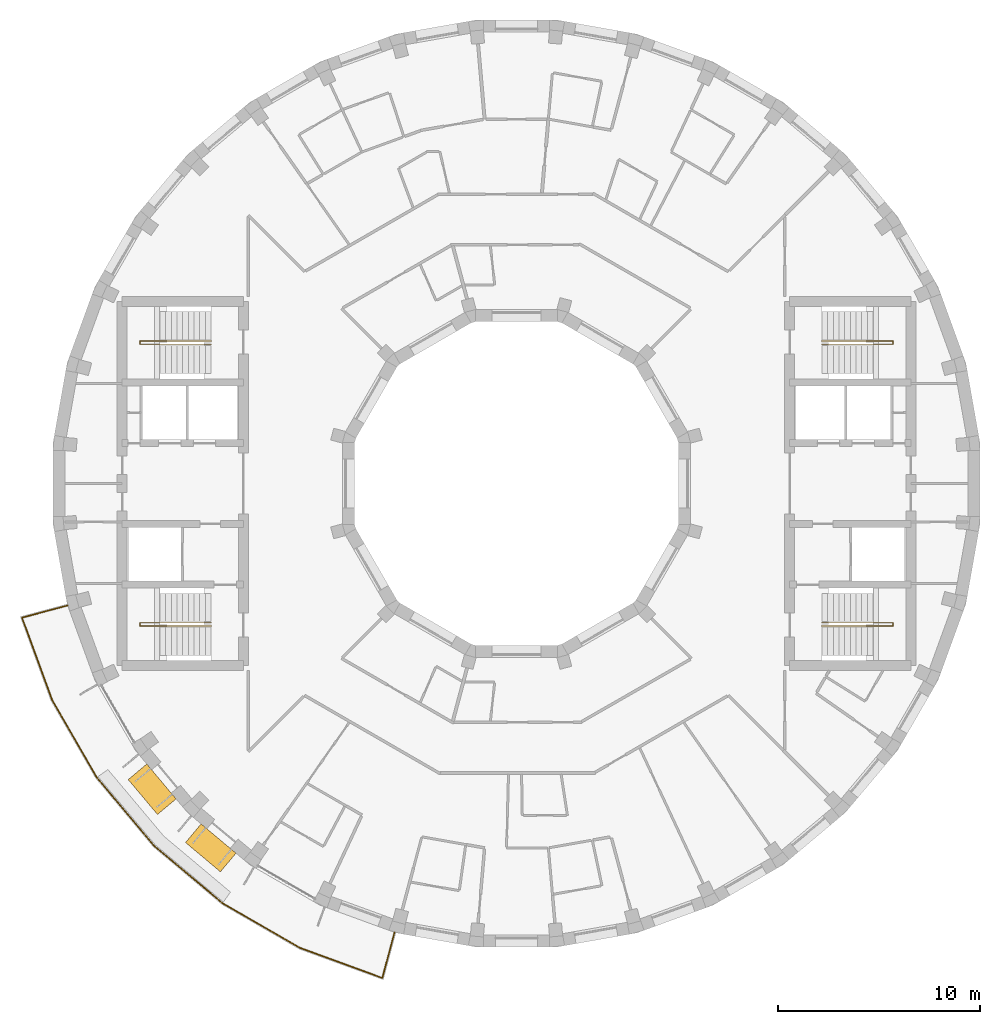
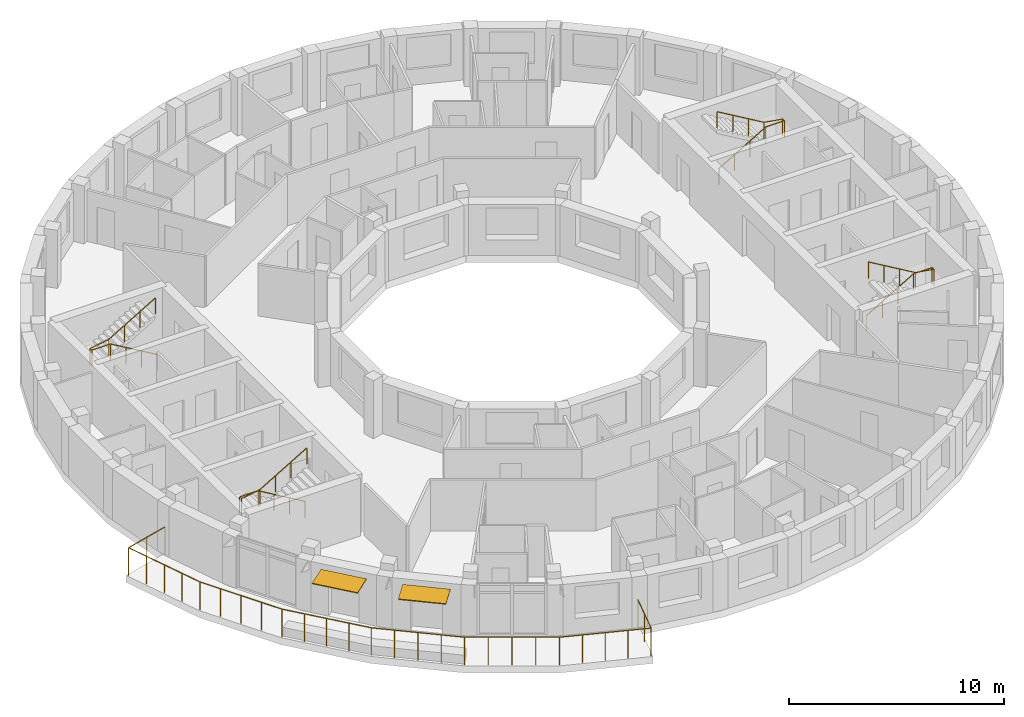
# One storey, part 12 of 12: 5 railings, 2 shading devices.
"""IFC4 building model written with IfcOpenShell, lengths in metres."""

import ifcopenshell
import ifcopenshell.guid

model = None  # the IFC model being written
_history = None  # IfcOwnerHistory: only IFC2X3 demands one
_inside = {}  # id of a spatial element -> (the spatial element, [elements in it])
_under = {}  # id of a project, library or spatial element -> (it, [spatial elements below it])
_declared = {}  # id of a project -> (the project, [libraries it declares])
_typed = {}  # id of a type object -> (the type object, [elements of that type])
_made_of = {}  # id of a material, layer set ... -> (it, [elements and type objects made of it])


def new_model(schema):
    """Start an empty IFC model of exactly this schema.

    Asked for "IFC4X3", IfcOpenShell would pick the latest addendum, in which some entities
    have other attributes; the version numbers below select the first issue.
    IFC2X3 requires an IfcOwnerHistory on every rooted entity: one is made here for all.
    """
    global model, _history
    if schema == "IFC4X3":
        model = ifcopenshell.file(schema_version=(4, 3, 0, 0))
    else:
        model = ifcopenshell.file(schema=schema)
    _inside.clear()
    _under.clear()
    _declared.clear()
    _typed.clear()
    _made_of.clear()
    _history = None
    if model.schema == "IFC2X3":
        org = make("IfcOrganization", Name="unknown")
        user = make(
            "IfcPersonAndOrganization",
            ThePerson=make("IfcPerson", FamilyName="unknown"),
            TheOrganization=org,
        )
        app = make(
            "IfcApplication",
            ApplicationDeveloper=org,
            Version="unknown",
            ApplicationFullName="unknown",
            ApplicationIdentifier="unknown",
        )
        _history = make(
            "IfcOwnerHistory",
            OwningUser=user,
            OwningApplication=app,
            ChangeAction="ADDED",
            CreationDate=0,
        )
    return model


def make(cls, **values):
    """One entity of the class cls with the attributes given. An attribute that is None is left unset."""
    return model.create_entity(
        cls, **{name: value for name, value in values.items() if value is not None}
    )


def rooted(cls, **values):
    """An entity with a GlobalId (a new one), such as an element, a storey or a relation."""
    return make(cls, GlobalId=ifcopenshell.guid.new(), OwnerHistory=_history, **values)


def si_unit(unit_type, name, prefix=None):
    """IfcSIUnit, for example si_unit("LENGTHUNIT", "METRE", prefix="MILLI")."""
    return make("IfcSIUnit", UnitType=unit_type, Prefix=prefix, Name=name)


def assignment(units):
    """IfcUnitAssignment: the units of a project."""
    return None if units is None else make("IfcUnitAssignment", Units=units)


def point(xyz):
    """IfcCartesianPoint."""
    return None if xyz is None else make("IfcCartesianPoint", Coordinates=xyz)


def direction(xyz):
    """IfcDirection."""
    return None if xyz is None else make("IfcDirection", DirectionRatios=xyz)


def frame(location, z_axis=None, x_axis=None):
    """IfcAxis2Placement3D, a coordinate frame: its origin and axes. An axis left out is left unset."""
    return make(
        "IfcAxis2Placement3D",
        Location=point(location),
        Axis=direction(z_axis),
        RefDirection=direction(x_axis),
    )


def frame_2d(location, x_axis=None):
    """IfcAxis2Placement2D, a coordinate frame in the plane: its origin and x axis."""
    return make(
        "IfcAxis2Placement2D", Location=point(location), RefDirection=direction(x_axis)
    )


def origin():
    """The frame at (0, 0, 0) with its axes left unset."""
    return frame((0.0, 0.0, 0.0))


def origin_2d():
    """The frame at (0, 0) in the plane with its x axis left unset."""
    return frame_2d((0.0, 0.0))


def place(relative_to, where):
    """IfcLocalPlacement: puts the frame where relative to a parent placement (None: the world)."""
    return make(
        "IfcLocalPlacement", PlacementRelTo=relative_to, RelativePlacement=where
    )


def context(
    kind, dimensions, precision=None, world=None, true_north=None, identifier=None
):
    """IfcGeometricRepresentationContext, for example the 3D "Model" context."""
    return make(
        "IfcGeometricRepresentationContext",
        ContextIdentifier=identifier,
        ContextType=kind,
        CoordinateSpaceDimension=dimensions,
        Precision=precision,
        WorldCoordinateSystem=world,
        TrueNorth=true_north,
    )


def subcontext(parent, identifier, kind, view, scale=None):
    """IfcGeometricRepresentationSubContext, for example "Body" below "Model"."""
    return make(
        "IfcGeometricRepresentationSubContext",
        ContextIdentifier=identifier,
        ContextType=kind,
        ParentContext=parent,
        TargetScale=scale,
        TargetView=view,
    )


def project(units=None, contexts=None):
    """IfcProject with its units and contexts."""
    return rooted(
        "IfcProject",
        Name="project",
        RepresentationContexts=contexts,
        UnitsInContext=assignment(units),
    )


def spatial(cls, under=None, at=None, **own):
    """A site, building, storey or space (cls), placed at a placement, below another one or the project."""
    s = rooted(cls, ObjectPlacement=at, **own)
    if under is not None:
        _under.setdefault(under.id(), (under, []))[1].append(s)
    return s


def profile(cls, at=None, kind="AREA", **sizes):
    """A parametric profile (cls). Its sizes go by their IFC names, for example OverallWidth=200.0."""
    return make(cls, ProfileType=kind, Position=at, **sizes)


def rectangle(**sizes):
    """IfcRectangleProfileDef."""
    return profile("IfcRectangleProfileDef", **sizes)


def circle(**sizes):
    """IfcCircleProfileDef."""
    return profile("IfcCircleProfileDef", **sizes)


def extrude(swept, where, along, depth):
    """IfcExtrudedAreaSolid: the profile swept, set in the frame where, extruded along a direction by depth."""
    return make(
        "IfcExtrudedAreaSolid",
        SweptArea=swept,
        Position=where,
        ExtrudedDirection=direction(along),
        Depth=depth,
    )


def shape(context_of_items, identifier, shape_type, items):
    """IfcShapeRepresentation: the items that make up one representation, for example the "Body"."""
    return make(
        "IfcShapeRepresentation",
        ContextOfItems=context_of_items,
        RepresentationIdentifier=identifier,
        RepresentationType=shape_type,
        Items=items,
    )


def material(Name=None, Category=None):
    """IfcMaterial."""
    return make("IfcMaterial", Name=Name, Category=Category)


def layer(
    of_material, thickness, ventilated=None, Name=None, Category=None, Priority=None
):
    """IfcMaterialLayer: one layer of a wall or slab, of a material (None: an air gap)."""
    return make(
        "IfcMaterialLayer",
        Material=of_material,
        LayerThickness=thickness,
        IsVentilated=ventilated,
        Name=Name,
        Category=Category,
        Priority=Priority,
    )


def layer_set(layers, Name=None):
    """IfcMaterialLayerSet."""
    return make("IfcMaterialLayerSet", MaterialLayers=layers, LayerSetName=Name)


def made_of(thing, what):
    """Note that an element or type object is made of a material, layer set ...; save() writes the relation."""
    if what is not None:
        _made_of.setdefault(what.id(), (what, []))[1].append(thing)
    return thing


def type_object(cls, material=None, **own):
    """A type object (cls), such as IfcWallType, which elements share."""
    return made_of(rooted(cls, **own), material)


def element(
    cls,
    number,
    at=None,
    inside=None,
    cuts=None,
    type_object=None,
    material=None,
    context=None,
    identifier="Body",
    shape_type=None,
    held_by="IfcProductDefinitionShape",
    body=None,
    shapes=None,
    **own,
):
    """One element of the class cls, such as IfcWall. Its Tag is "e" and its number.

    at: its placement. inside: the storey or other place that contains it. cuts: it is an
    opening in that element (IfcRelVoidsElement). A single representation is given by context,
    identifier, shape_type and body (its items); several are given by shapes. held_by: the class
    of the entity that holds the representations. save() writes the other relations.
    """
    e = rooted(cls, Tag="e%d" % number, ObjectPlacement=at, **own)
    if body is not None:
        shapes = [shape(context, identifier, shape_type, body)]
    if shapes is not None:
        e.Representation = make(held_by, Representations=shapes)
    if inside is not None:
        _inside.setdefault(inside.id(), (inside, []))[1].append(e)
    if cuts is not None:
        rooted(
            "IfcRelVoidsElement", RelatingBuildingElement=cuts, RelatedOpeningElement=e
        )
    if type_object is not None:
        _typed.setdefault(type_object.id(), (type_object, []))[1].append(e)
    return made_of(e, material)


def aggregate(whole, parts):
    """IfcRelAggregates: a whole, such as a stair, and the parts it consists of."""
    return rooted("IfcRelAggregates", RelatingObject=whole, RelatedObjects=parts)


def save(model, path):
    """Write the relations noted so far, then the file.

    IfcRelAggregates (storeys below a building ...), IfcRelContainedInSpatialStructure (elements
    in a storey), IfcRelDefinesByType, IfcRelAssociatesMaterial and IfcRelDeclares: one each for
    every whole, place, type object, material and project.
    """
    for whole, parts in _under.values():
        aggregate(whole, parts)
    for where, things in _inside.values():
        rooted(
            "IfcRelContainedInSpatialStructure",
            RelatedElements=things,
            RelatingStructure=where,
        )
    for kind, things in _typed.values():
        rooted("IfcRelDefinesByType", RelatedObjects=things, RelatingType=kind)
    for what, things in _made_of.values():
        rooted("IfcRelAssociatesMaterial", RelatedObjects=things, RelatingMaterial=what)
    for by, libraries in _declared.values():
        rooted("IfcRelDeclares", RelatingContext=by, RelatedDefinitions=libraries)
    model.write(path)


model = new_model("IFC4")

# Units and contexts
model_context = context("Model", 3, precision=1e-05, world=origin(), true_north=direction((0.0, 1.0)))
body_context = subcontext(model_context, "Body", "Model", "MODEL_VIEW")
ifc_project = project(units=[si_unit("LENGTHUNIT", "METRE"), si_unit("AREAUNIT", "SQUARE_METRE"), si_unit("VOLUMEUNIT", "CUBIC_METRE"), si_unit("PLANEANGLEUNIT", "RADIAN"), si_unit("MASSUNIT", "GRAM", prefix="KILO")], contexts=[model_context])

# Site, building, storey
site_placement = place(None, origin())
site = spatial("IfcSite", under=ifc_project, at=site_placement, CompositionType="ELEMENT")
building_placement = place(site_placement, origin())
building = spatial("IfcBuilding", under=site, at=building_placement, Name="Saqina Gate Tower", CompositionType="ELEMENT")
storey_placement = place(building_placement, frame((0.0, 0.0, 262.699951171875)))
storey = spatial("IfcBuildingStorey", under=building, at=storey_placement, Name="L75", CompositionType="ELEMENT", Elevation=262.699951171875)

# Shading devices
ifc_material_1 = material(Name="Aluminium and fabric awning", Category="aluminium")
ifc_layer = layer(ifc_material_1, 0.050048828125)
ifc_layer_set = layer_set([ifc_layer], Name="AW-TERRACE")
shading_device_type = type_object("IfcShadingDeviceType", Name="AW-TERRACE", PredefinedType="AWNING", material=ifc_layer_set)
for number, where, z_axis, x_axis, name in (
    (1, (-18.01171875, -15.113525390625, 2.52490234375), (0.0, 0.0, 1.0), (0.642787609687, -0.766044443119, 0.0), "Terrace awning L75 facet 22"),
    (2, (-15.113525390625, -18.01171875, 2.52490234375), (0.0, 0.0, 1.0), (0.766044443119, -0.642787609687, 0.0), "Terrace awning L75 facet 23"),
):
    element("IfcShadingDevice", number, at=place(storey_placement, frame(where, z_axis=z_axis, x_axis=x_axis)), inside=storey, type_object=shading_device_type, Name=name, PredefinedType="AWNING", context=body_context, shape_type="SweptSolid", body=[
        extrude(rectangle(XDim=2.251708984375, YDim=1.199951171875, at=origin_2d()), origin(), (0.0, 0.0, 1.0), 0.050048828125),
    ])

# Railings
ifc_material_2 = material(Name="Stainless steel", Category="steel")
railing_type_1 = type_object("IfcRailingType", Name="RL-TERRACE", PredefinedType="GUARDRAIL", material=ifc_material_2)
railing_1_placement = place(storey_placement, frame((-22.1376953125, -6.0146484375, 0.0)))
element("IfcRailing", 3, at=railing_1_placement, inside=storey, type_object=railing_type_1, Name="Terrace guard L75", PredefinedType="GUARDRAIL", context=body_context, shape_type="SweptSolid", body=[
    extrude(circle(Radius=0.02392578125, at=origin_2d()), frame((0.0, 0.0, 1.576171875), z_axis=(-0.965935734769, -0.25878206332, 0.0), x_axis=(0.25878206332, -0.965935734769, 0.0)), (0.0, 0.0, 1.0), 2.388671875),
    extrude(circle(Radius=0.02392578125, at=origin_2d()), frame((-2.307373046875, -0.6181640625, 1.576171875), z_axis=(0.343514905065, -0.939147224879, 0.0), x_axis=(0.939147224879, 0.343514905065, 0.0)), (0.0, 0.0, 1.0), 4.33544921875),
    extrude(circle(Radius=0.02392578125, at=origin_2d()), frame((-0.818115234375, -4.689697265625, 1.576171875), z_axis=(0.49998092645, -0.866036415623, 0.0), x_axis=(0.866036415623, 0.49998092645, 0.0)), (0.0, 0.0, 1.0), 4.415283203125),
    extrude(circle(Radius=0.02392578125, at=origin_2d()), frame((1.389404296875, -8.513427734375, 1.576171875), z_axis=(0.642818527017, -0.766018499335, 0.0), x_axis=(0.766018499335, 0.642818527017, 0.0)), (0.0, 0.0, 1.0), 4.4150390625),
    extrude(circle(Radius=0.02392578125, at=origin_2d()), frame((4.2275390625, -11.8955078125, 1.576171875), z_axis=(0.766018499335, -0.642818527017, 0.0), x_axis=(0.642818527017, 0.766018499335, 0.0)), (0.0, 0.0, 1.0), 4.4150390625),
    extrude(circle(Radius=0.02392578125, at=origin_2d()), frame((7.609619140625, -14.733642578125, 1.576171875), z_axis=(0.866036415623, -0.49998092645, 0.0), x_axis=(0.49998092645, 0.866036415623, 0.0)), (0.0, 0.0, 1.0), 4.415283203125),
    extrude(circle(Radius=0.02392578125, at=origin_2d()), frame((11.433349609375, -16.941162109375, 1.576171875), z_axis=(0.939147224879, -0.343514905065, 0.0), x_axis=(0.343514905065, 0.939147224879, 0.0)), (0.0, 0.0, 1.0), 4.33544921875),
    extrude(circle(Radius=0.02392578125, at=origin_2d()), frame((15.5048828125, -18.430419921875, 1.576171875), z_axis=(0.25878206332, 0.965935734769, 0.0), x_axis=(-0.965935734769, 0.25878206332, 0.0)), (0.0, 0.0, 1.0), 2.388671875),
    extrude(circle(Radius=0.02099609375, at=origin_2d()), origin(), (0.0, 0.0, 1.0), 1.552001953125),
    extrude(circle(Radius=0.02099609375, at=origin_2d()), frame((-1.15380859375, -0.30908203125, 0.0)), (0.0, 0.0, 1.0), 1.552001953125),
    extrude(circle(Radius=0.02099609375, at=origin_2d()), frame((-2.307373046875, -0.6181640625, 0.0)), (0.0, 0.0, 1.0), 1.552001953125),
    extrude(circle(Radius=0.02099609375, at=origin_2d()), frame((-1.93505859375, -1.635986328125, 0.0)), (0.0, 0.0, 1.0), 1.552001953125),
    extrude(circle(Radius=0.02099609375, at=origin_2d()), frame((-1.562744140625, -2.65380859375, 0.0)), (0.0, 0.0, 1.0), 1.552001953125),
    extrude(circle(Radius=0.02099609375, at=origin_2d()), frame((-1.1904296875, -3.671875, 0.0)), (0.0, 0.0, 1.0), 1.552001953125),
    extrude(circle(Radius=0.02099609375, at=origin_2d()), frame((-0.818115234375, -4.689697265625, 0.0)), (0.0, 0.0, 1.0), 1.552001953125),
    extrude(circle(Radius=0.02099609375, at=origin_2d()), frame((-0.26611328125, -5.6455078125, 0.0)), (0.0, 0.0, 1.0), 1.552001953125),
    extrude(circle(Radius=0.02099609375, at=origin_2d()), frame((0.28564453125, -6.6015625, 0.0)), (0.0, 0.0, 1.0), 1.552001953125),
    extrude(circle(Radius=0.02099609375, at=origin_2d()), frame((0.83740234375, -7.5576171875, 0.0)), (0.0, 0.0, 1.0), 1.552001953125),
    extrude(circle(Radius=0.02099609375, at=origin_2d()), frame((1.389404296875, -8.513427734375, 0.0)), (0.0, 0.0, 1.0), 1.552001953125),
    extrude(circle(Radius=0.02099609375, at=origin_2d()), frame((2.098876953125, -9.35888671875, 0.0)), (0.0, 0.0, 1.0), 1.552001953125),
    extrude(circle(Radius=0.02099609375, at=origin_2d()), frame((2.80859375, -10.20458984375, 0.0)), (0.0, 0.0, 1.0), 1.552001953125),
    extrude(circle(Radius=0.02099609375, at=origin_2d()), frame((3.51806640625, -11.050048828125, 0.0)), (0.0, 0.0, 1.0), 1.552001953125),
    extrude(circle(Radius=0.02099609375, at=origin_2d()), frame((4.2275390625, -11.8955078125, 0.0)), (0.0, 0.0, 1.0), 1.552001953125),
    extrude(circle(Radius=0.02099609375, at=origin_2d()), frame((5.072998046875, -12.60498046875, 0.0)), (0.0, 0.0, 1.0), 1.552001953125),
    extrude(circle(Radius=0.02099609375, at=origin_2d()), frame((5.91845703125, -13.314453125, 0.0)), (0.0, 0.0, 1.0), 1.552001953125),
    extrude(circle(Radius=0.02099609375, at=origin_2d()), frame((6.76416015625, -14.024169921875, 0.0)), (0.0, 0.0, 1.0), 1.552001953125),
    extrude(circle(Radius=0.02099609375, at=origin_2d()), frame((7.609619140625, -14.733642578125, 0.0)), (0.0, 0.0, 1.0), 1.552001953125),
    extrude(circle(Radius=0.02099609375, at=origin_2d()), frame((8.5654296875, -15.28564453125, 0.0)), (0.0, 0.0, 1.0), 1.552001953125),
    extrude(circle(Radius=0.02099609375, at=origin_2d()), frame((9.521484375, -15.83740234375, 0.0)), (0.0, 0.0, 1.0), 1.552001953125),
    extrude(circle(Radius=0.02099609375, at=origin_2d()), frame((10.4775390625, -16.38916015625, 0.0)), (0.0, 0.0, 1.0), 1.552001953125),
    extrude(circle(Radius=0.02099609375, at=origin_2d()), frame((11.433349609375, -16.941162109375, 0.0)), (0.0, 0.0, 1.0), 1.552001953125),
    extrude(circle(Radius=0.02099609375, at=origin_2d()), frame((12.451171875, -17.3134765625, 0.0)), (0.0, 0.0, 1.0), 1.552001953125),
    extrude(circle(Radius=0.02099609375, at=origin_2d()), frame((13.46923828125, -17.685791015625, 0.0)), (0.0, 0.0, 1.0), 1.552001953125),
    extrude(circle(Radius=0.02099609375, at=origin_2d()), frame((14.487060546875, -18.05810546875, 0.0)), (0.0, 0.0, 1.0), 1.552001953125),
    extrude(circle(Radius=0.02099609375, at=origin_2d()), frame((15.5048828125, -18.430419921875, 0.0)), (0.0, 0.0, 1.0), 1.552001953125),
    extrude(circle(Radius=0.02099609375, at=origin_2d()), frame((15.81396484375, -17.27685546875, 0.0)), (0.0, 0.0, 1.0), 1.552001953125),
    extrude(circle(Radius=0.02099609375, at=origin_2d()), frame((16.123046875, -16.123046875, 0.0)), (0.0, 0.0, 1.0), 1.552001953125),
])
ifc_material_3 = material(Name="Stainless steel", Category="steel")
railing_type_2 = type_object("IfcRailingType", Name="STAIR HANDRAIL", PredefinedType="HANDRAIL", material=ifc_material_3)
railing_2_placement = place(storey_placement, frame((15.10009765625, 6.88330078125, 0.1650390625)))
element("IfcRailing", 4, at=railing_2_placement, inside=storey, type_object=railing_type_2, Name="EXIT STAIR 1 HANDRAIL", PredefinedType="HANDRAIL", context=body_context, shape_type="SweptSolid", body=[
    extrude(circle(Radius=0.02392578125, at=origin_2d()), frame((0.0, 0.0, 0.92578125), z_axis=(0.86152411907, 0.0, 0.507716645641), x_axis=(0.0, 1.0, 0.0)), (0.0, 0.0, 1.0), 2.925048828125),
    extrude(circle(Radius=0.02392578125, at=origin_2d()), frame((2.52001953125, 0.0, 2.4111328125), z_axis=(1.0, 0.0, 0.0), x_axis=(0.0, 1.0, 0.0)), (0.0, 0.0, 1.0), 1.0),
    extrude(circle(Radius=0.02392578125, at=origin_2d()), frame((3.52001953125, 0.0, 2.4111328125), z_axis=(0.0, 1.0, 0.0), x_axis=(-1.0, 0.0, 0.0)), (0.0, 0.0, 1.0), 0.158447265625),
    extrude(circle(Radius=0.02392578125, at=origin_2d()), frame((3.52001953125, 0.158447265625, 2.4111328125), z_axis=(-0.986691773887, 0.0, 0.162601793792), x_axis=(0.0, -1.0, 0.0)), (0.0, 0.0, 1.0), 1.013427734375),
    extrude(circle(Radius=0.02392578125, at=origin_2d()), frame((2.52001953125, 0.158447265625, 2.57568359375), z_axis=(-0.86152411907, 0.0, 0.507716645641), x_axis=(0.0, -1.0, 0.0)), (0.0, 0.0, 1.0), 2.925048828125),
    extrude(circle(Radius=0.02099609375, at=origin_2d()), origin(), (0.0, 0.0, 1.0), 0.90185546875),
    extrude(circle(Radius=0.02099609375, at=origin_2d()), frame((0.840087890625, 0.0, 0.4951171875)), (0.0, 0.0, 1.0), 0.90185546875),
    extrude(circle(Radius=0.02099609375, at=origin_2d()), frame((1.679931640625, 0.0, 0.989990234375)), (0.0, 0.0, 1.0), 0.90185546875),
    extrude(circle(Radius=0.02099609375, at=origin_2d()), frame((2.52001953125, 0.0, 1.485107421875)), (0.0, 0.0, 1.0), 0.90185546875),
    extrude(circle(Radius=0.02099609375, at=origin_2d()), frame((3.52001953125, 0.0, 1.485107421875)), (0.0, 0.0, 1.0), 0.90185546875),
    extrude(circle(Radius=0.02099609375, at=origin_2d()), frame((3.52001953125, 0.158447265625, 1.485107421875)), (0.0, 0.0, 1.0), 0.90185546875),
    extrude(circle(Radius=0.02099609375, at=origin_2d()), frame((2.52001953125, 0.158447265625, 1.64990234375)), (0.0, 0.0, 1.0), 0.90185546875),
    extrude(circle(Radius=0.02099609375, at=origin_2d()), frame((1.679931640625, 0.158447265625, 2.14501953125)), (0.0, 0.0, 1.0), 0.90185546875),
    extrude(circle(Radius=0.02099609375, at=origin_2d()), frame((0.840087890625, 0.158447265625, 2.639892578125)), (0.0, 0.0, 1.0), 0.90185546875),
    extrude(circle(Radius=0.02099609375, at=origin_2d()), frame((0.0, 0.158447265625, 3.135009765625)), (0.0, 0.0, 1.0), 0.90185546875),
])
railing_3_placement = place(storey_placement, frame((15.10009765625, -6.88330078125, 0.1650390625)))
element("IfcRailing", 5, at=railing_3_placement, inside=storey, type_object=railing_type_2, Name="EXIT STAIR 2 HANDRAIL", PredefinedType="HANDRAIL", context=body_context, shape_type="SweptSolid", body=[
    extrude(circle(Radius=0.02392578125, at=origin_2d()), frame((0.0, 0.0, 0.92578125), z_axis=(0.86152411907, 0.0, 0.507716645641), x_axis=(0.0, 1.0, 0.0)), (0.0, 0.0, 1.0), 2.925048828125),
    extrude(circle(Radius=0.02392578125, at=origin_2d()), frame((2.52001953125, 0.0, 2.4111328125), z_axis=(1.0, 0.0, 0.0), x_axis=(0.0, 1.0, 0.0)), (0.0, 0.0, 1.0), 1.0),
    extrude(circle(Radius=0.02392578125, at=origin_2d()), frame((3.52001953125, 0.0, 2.4111328125), z_axis=(0.0, -1.0, 0.0), x_axis=(1.0, 0.0, 0.0)), (0.0, 0.0, 1.0), 0.158447265625),
    extrude(circle(Radius=0.02392578125, at=origin_2d()), frame((3.52001953125, -0.158447265625, 2.4111328125), z_axis=(-0.986691773887, 0.0, 0.162601793792), x_axis=(0.0, -1.0, 0.0)), (0.0, 0.0, 1.0), 1.013427734375),
    extrude(circle(Radius=0.02392578125, at=origin_2d()), frame((2.52001953125, -0.158447265625, 2.57568359375), z_axis=(-0.86152411907, 0.0, 0.507716645641), x_axis=(0.0, -1.0, 0.0)), (0.0, 0.0, 1.0), 2.925048828125),
    extrude(circle(Radius=0.02099609375, at=origin_2d()), origin(), (0.0, 0.0, 1.0), 0.90185546875),
    extrude(circle(Radius=0.02099609375, at=origin_2d()), frame((0.840087890625, 0.0, 0.4951171875)), (0.0, 0.0, 1.0), 0.90185546875),
    extrude(circle(Radius=0.02099609375, at=origin_2d()), frame((1.679931640625, 0.0, 0.989990234375)), (0.0, 0.0, 1.0), 0.90185546875),
    extrude(circle(Radius=0.02099609375, at=origin_2d()), frame((2.52001953125, 0.0, 1.485107421875)), (0.0, 0.0, 1.0), 0.90185546875),
    extrude(circle(Radius=0.02099609375, at=origin_2d()), frame((3.52001953125, 0.0, 1.485107421875)), (0.0, 0.0, 1.0), 0.90185546875),
    extrude(circle(Radius=0.02099609375, at=origin_2d()), frame((3.52001953125, -0.158447265625, 1.485107421875)), (0.0, 0.0, 1.0), 0.90185546875),
    extrude(circle(Radius=0.02099609375, at=origin_2d()), frame((2.52001953125, -0.158447265625, 1.64990234375)), (0.0, 0.0, 1.0), 0.90185546875),
    extrude(circle(Radius=0.02099609375, at=origin_2d()), frame((1.679931640625, -0.158447265625, 2.14501953125)), (0.0, 0.0, 1.0), 0.90185546875),
    extrude(circle(Radius=0.02099609375, at=origin_2d()), frame((0.840087890625, -0.158447265625, 2.639892578125)), (0.0, 0.0, 1.0), 0.90185546875),
    extrude(circle(Radius=0.02099609375, at=origin_2d()), frame((0.0, -0.158447265625, 3.135009765625)), (0.0, 0.0, 1.0), 0.90185546875),
])
railing_4_placement = place(storey_placement, frame((-15.10009765625, 6.88330078125, 0.1650390625)))
element("IfcRailing", 6, at=railing_4_placement, inside=storey, type_object=railing_type_2, Name="EXIT STAIR 3 HANDRAIL", PredefinedType="HANDRAIL", context=body_context, shape_type="SweptSolid", body=[
    extrude(circle(Radius=0.02392578125, at=origin_2d()), frame((0.0, 0.0, 0.92578125), z_axis=(-0.86152411907, 0.0, 0.507716645641), x_axis=(0.0, -1.0, 0.0)), (0.0, 0.0, 1.0), 2.925048828125),
    extrude(circle(Radius=0.02392578125, at=origin_2d()), frame((-2.52001953125, 0.0, 2.4111328125), z_axis=(-1.0, 0.0, 0.0), x_axis=(0.0, -1.0, 0.0)), (0.0, 0.0, 1.0), 1.0),
    extrude(circle(Radius=0.02392578125, at=origin_2d()), frame((-3.52001953125, 0.0, 2.4111328125), z_axis=(0.0, 1.0, 0.0), x_axis=(-1.0, 0.0, 0.0)), (0.0, 0.0, 1.0), 0.158447265625),
    extrude(circle(Radius=0.02392578125, at=origin_2d()), frame((-3.52001953125, 0.158447265625, 2.4111328125), z_axis=(0.986691773887, 0.0, 0.162601793792), x_axis=(0.0, 1.0, 0.0)), (0.0, 0.0, 1.0), 1.013427734375),
    extrude(circle(Radius=0.02392578125, at=origin_2d()), frame((-2.52001953125, 0.158447265625, 2.57568359375), z_axis=(0.86152411907, 0.0, 0.507716645641), x_axis=(0.0, 1.0, 0.0)), (0.0, 0.0, 1.0), 2.925048828125),
    extrude(circle(Radius=0.02099609375, at=origin_2d()), origin(), (0.0, 0.0, 1.0), 0.90185546875),
    extrude(circle(Radius=0.02099609375, at=origin_2d()), frame((-0.840087890625, 0.0, 0.4951171875)), (0.0, 0.0, 1.0), 0.90185546875),
    extrude(circle(Radius=0.02099609375, at=origin_2d()), frame((-1.679931640625, 0.0, 0.989990234375)), (0.0, 0.0, 1.0), 0.90185546875),
    extrude(circle(Radius=0.02099609375, at=origin_2d()), frame((-2.52001953125, 0.0, 1.485107421875)), (0.0, 0.0, 1.0), 0.90185546875),
    extrude(circle(Radius=0.02099609375, at=origin_2d()), frame((-3.52001953125, 0.0, 1.485107421875)), (0.0, 0.0, 1.0), 0.90185546875),
    extrude(circle(Radius=0.02099609375, at=origin_2d()), frame((-3.52001953125, 0.158447265625, 1.485107421875)), (0.0, 0.0, 1.0), 0.90185546875),
    extrude(circle(Radius=0.02099609375, at=origin_2d()), frame((-2.52001953125, 0.158447265625, 1.64990234375)), (0.0, 0.0, 1.0), 0.90185546875),
    extrude(circle(Radius=0.02099609375, at=origin_2d()), frame((-1.679931640625, 0.158447265625, 2.14501953125)), (0.0, 0.0, 1.0), 0.90185546875),
    extrude(circle(Radius=0.02099609375, at=origin_2d()), frame((-0.840087890625, 0.158447265625, 2.639892578125)), (0.0, 0.0, 1.0), 0.90185546875),
    extrude(circle(Radius=0.02099609375, at=origin_2d()), frame((0.0, 0.158447265625, 3.135009765625)), (0.0, 0.0, 1.0), 0.90185546875),
])
railing_5_placement = place(storey_placement, frame((-15.10009765625, -6.88330078125, 0.1650390625)))
element("IfcRailing", 7, at=railing_5_placement, inside=storey, type_object=railing_type_2, Name="EXIT STAIR 4 HANDRAIL", PredefinedType="HANDRAIL", context=body_context, shape_type="SweptSolid", body=[
    extrude(circle(Radius=0.02392578125, at=origin_2d()), frame((0.0, 0.0, 0.92578125), z_axis=(-0.86152411907, 0.0, 0.507716645641), x_axis=(0.0, -1.0, 0.0)), (0.0, 0.0, 1.0), 2.925048828125),
    extrude(circle(Radius=0.02392578125, at=origin_2d()), frame((-2.52001953125, 0.0, 2.4111328125), z_axis=(-1.0, 0.0, 0.0), x_axis=(0.0, -1.0, 0.0)), (0.0, 0.0, 1.0), 1.0),
    extrude(circle(Radius=0.02392578125, at=origin_2d()), frame((-3.52001953125, 0.0, 2.4111328125), z_axis=(0.0, -1.0, 0.0), x_axis=(1.0, 0.0, 0.0)), (0.0, 0.0, 1.0), 0.158447265625),
    extrude(circle(Radius=0.02392578125, at=origin_2d()), frame((-3.52001953125, -0.158447265625, 2.4111328125), z_axis=(0.986691773887, 0.0, 0.162601793792), x_axis=(0.0, 1.0, 0.0)), (0.0, 0.0, 1.0), 1.013427734375),
    extrude(circle(Radius=0.02392578125, at=origin_2d()), frame((-2.52001953125, -0.158447265625, 2.57568359375), z_axis=(0.86152411907, 0.0, 0.507716645641), x_axis=(0.0, 1.0, 0.0)), (0.0, 0.0, 1.0), 2.925048828125),
    extrude(circle(Radius=0.02099609375, at=origin_2d()), origin(), (0.0, 0.0, 1.0), 0.90185546875),
    extrude(circle(Radius=0.02099609375, at=origin_2d()), frame((-0.840087890625, 0.0, 0.4951171875)), (0.0, 0.0, 1.0), 0.90185546875),
    extrude(circle(Radius=0.02099609375, at=origin_2d()), frame((-1.679931640625, 0.0, 0.989990234375)), (0.0, 0.0, 1.0), 0.90185546875),
    extrude(circle(Radius=0.02099609375, at=origin_2d()), frame((-2.52001953125, 0.0, 1.485107421875)), (0.0, 0.0, 1.0), 0.90185546875),
    extrude(circle(Radius=0.02099609375, at=origin_2d()), frame((-3.52001953125, 0.0, 1.485107421875)), (0.0, 0.0, 1.0), 0.90185546875),
    extrude(circle(Radius=0.02099609375, at=origin_2d()), frame((-3.52001953125, -0.158447265625, 1.485107421875)), (0.0, 0.0, 1.0), 0.90185546875),
    extrude(circle(Radius=0.02099609375, at=origin_2d()), frame((-2.52001953125, -0.158447265625, 1.64990234375)), (0.0, 0.0, 1.0), 0.90185546875),
    extrude(circle(Radius=0.02099609375, at=origin_2d()), frame((-1.679931640625, -0.158447265625, 2.14501953125)), (0.0, 0.0, 1.0), 0.90185546875),
    extrude(circle(Radius=0.02099609375, at=origin_2d()), frame((-0.840087890625, -0.158447265625, 2.639892578125)), (0.0, 0.0, 1.0), 0.90185546875),
    extrude(circle(Radius=0.02099609375, at=origin_2d()), frame((0.0, -0.158447265625, 3.135009765625)), (0.0, 0.0, 1.0), 0.90185546875),
])

save(model, "model.ifc")
